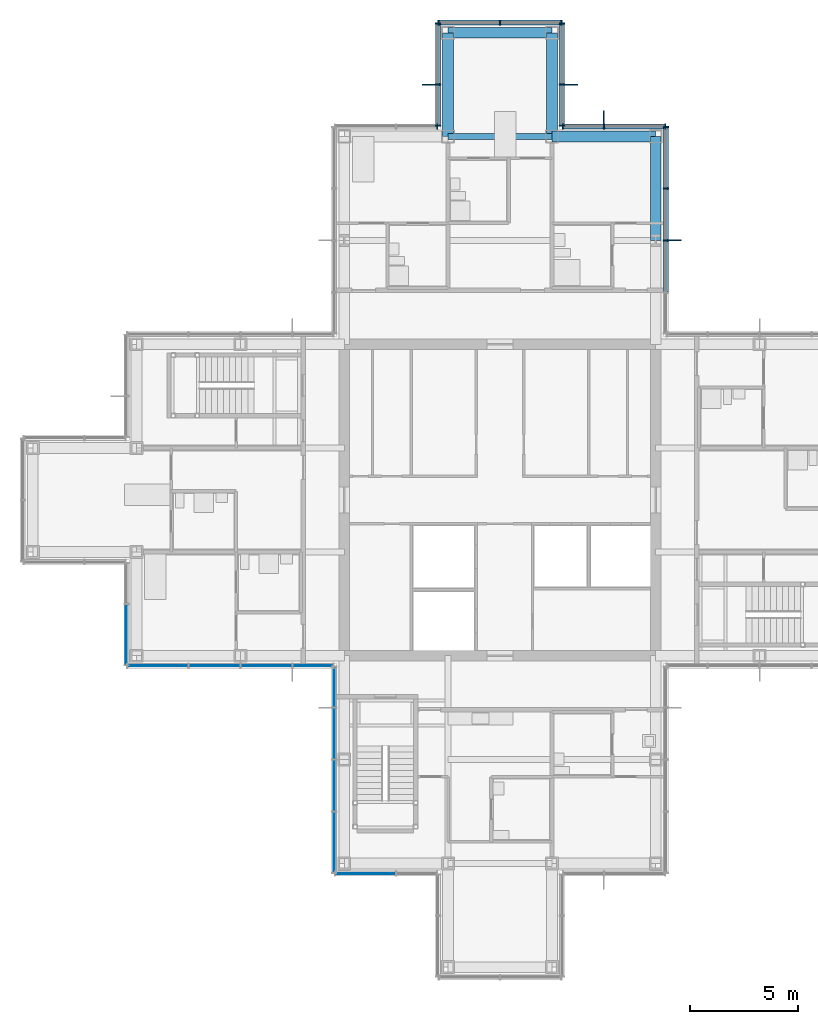
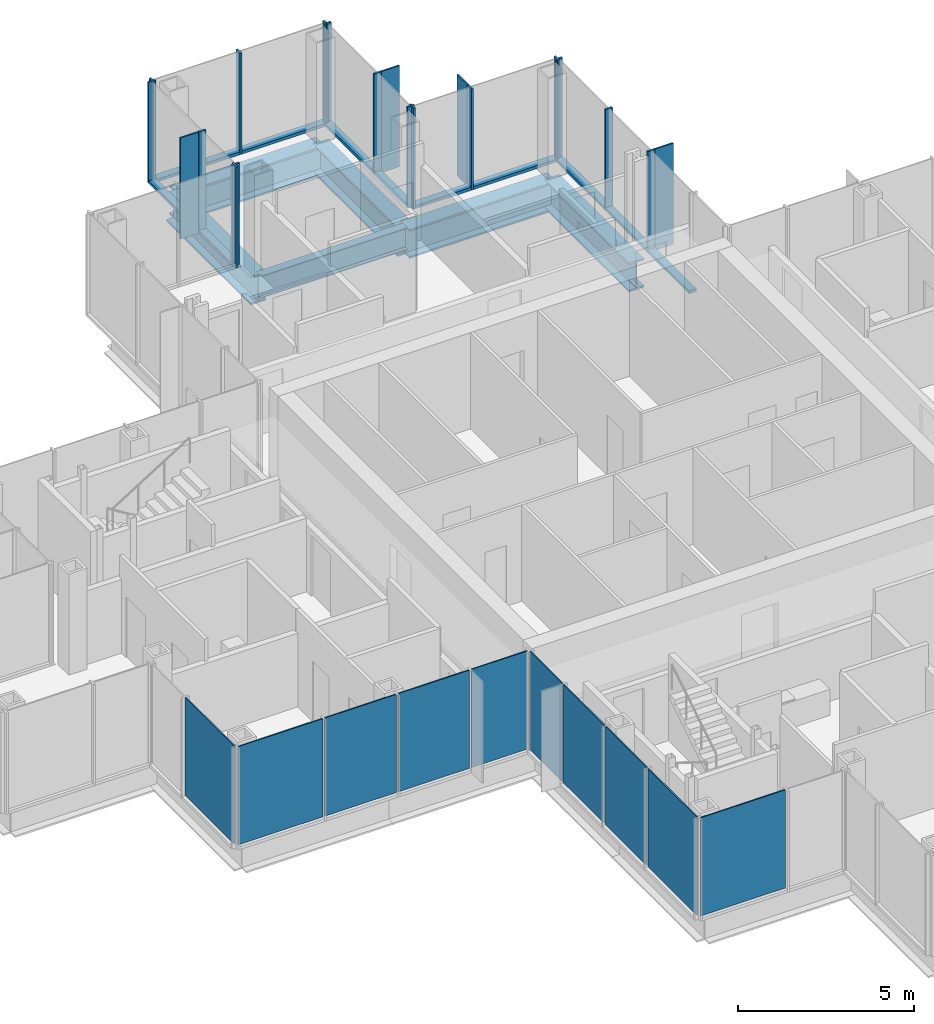
# One storey, part 9 of 17: 31 members, 10 plates, 6 beams, 10 elements without a shape of their own.
"""IFC4 building model written with IfcOpenShell, lengths in metres."""

from ifc_helpers import new_model, si_unit, direction, frame, origin, origin_2d, place, context, subcontext, project, spatial, rectangle, i_section, extrude, material, layer, layer_set, material_profile, profile_set, type_object, element, aggregate, save


model = new_model("IFC4")

# Units and contexts
model_context = context("Model", 3, precision=1e-05, world=origin(), true_north=direction((0.0, 1.0)))
body_context = subcontext(model_context, "Body", "Model", "MODEL_VIEW")
ifc_project = project(units=[si_unit("LENGTHUNIT", "METRE"), si_unit("AREAUNIT", "SQUARE_METRE"), si_unit("VOLUMEUNIT", "CUBIC_METRE"), si_unit("PLANEANGLEUNIT", "RADIAN"), si_unit("MASSUNIT", "GRAM", prefix="KILO")], contexts=[model_context])

# Site, building, storey
site_placement = place(None, origin())
site = spatial("IfcSite", under=ifc_project, at=site_placement, CompositionType="ELEMENT")
building_placement = place(site_placement, origin())
building = spatial("IfcBuilding", under=site, at=building_placement, Name="Kvirike Care Tower", CompositionType="ELEMENT")
storey_placement = place(building_placement, frame((0.0, 0.0, 148.0)))
storey = spatial("IfcBuildingStorey", under=building, at=storey_placement, Name="L40", CompositionType="ELEMENT", Elevation=148.0)

# Curtain wall, member
ifc_material_1 = material(Name="Anodised aluminium stick system", Category="aluminium")
curtain_wall_type = type_object("IfcCurtainWallType", Name="CW-C STICK CURTAIN WALL", PredefinedType="NOTDEFINED", material=ifc_material_1)
curtain_wall_1_placement = place(storey_placement, origin())
curtain_wall_1 = element("IfcCurtainWall", 1, at=curtain_wall_1_placement, inside=storey, type_object=curtain_wall_type, Name="Curtain wall L40 face 8", PredefinedType="NOTDEFINED")
ifc_material_2 = material(Name="Bronze anodised aluminium fin", Category="aluminium")
ifc_material_profile_1 = material_profile(ifc_material_2, rectangle(XDim=0.050048828125, YDim=0.60009765625, at=origin_2d()), Name="BRONZE FIN 600")
ifc_profile_set_1 = profile_set([ifc_material_profile_1], Name="Bronze anodised aluminium fin")
member_type_1 = type_object("IfcMemberType", Name="BRONZE FIN 600", PredefinedType="USERDEFINED", material=ifc_profile_set_1)
member_1_placement = place(storey_placement, frame((29.68994140625, 48.0, 0.0), z_axis=(0.0, 0.0, 1.0), x_axis=(0.0, 1.0, 0.0)))
member_1 = element("IfcMember", 2, at=member_1_placement, type_object=member_type_1, Name="Bronze fin L40 face 8.3", ObjectType="FIN", PredefinedType="USERDEFINED", context=body_context, shape_type="SweptSolid", body=[
    extrude(rectangle(XDim=0.050048828125, YDim=0.60009765625, at=origin_2d()), origin(), (0.0, 0.0, 1.0), 3.5),
])

curtain_wall_2_placement = place(storey_placement, origin())
curtain_wall_2 = element("IfcCurtainWall", 3, at=curtain_wall_2_placement, inside=storey, type_object=curtain_wall_type, Name="Curtain wall L40 face 9", PredefinedType="NOTDEFINED")
member_2_placement = place(storey_placement, frame((26.39990234375, 53.68994140625, 0.0), z_axis=(0.0, 0.0, 1.0), x_axis=(-1.0, 0.0, 0.0)))
member_2 = element("IfcMember", 4, at=member_2_placement, type_object=member_type_1, Name="Bronze fin L40 face 9.2", ObjectType="FIN", PredefinedType="USERDEFINED", context=body_context, shape_type="SweptSolid", body=[
    extrude(rectangle(XDim=0.050048828125, YDim=0.60009765625, at=origin_2d()), origin(), (0.0, 0.0, 1.0), 3.5),
])

curtain_wall_3_placement = place(storey_placement, origin())
curtain_wall_3 = element("IfcCurtainWall", 5, at=curtain_wall_3_placement, inside=storey, type_object=curtain_wall_type, Name="Curtain wall L40 face 10", PredefinedType="NOTDEFINED")
member_3_placement = place(storey_placement, frame((24.889892578125, 55.199951171875, 0.0), z_axis=(0.0, 0.0, 1.0), x_axis=(0.0, 1.0, 0.0)))
member_3 = element("IfcMember", 6, at=member_3_placement, type_object=member_type_1, Name="Bronze fin L40 face 10.2", ObjectType="FIN", PredefinedType="USERDEFINED", context=body_context, shape_type="SweptSolid", body=[
    extrude(rectangle(XDim=0.050048828125, YDim=0.60009765625, at=origin_2d()), origin(), (0.0, 0.0, 1.0), 3.5),
])

curtain_wall_4_placement = place(storey_placement, origin())
curtain_wall_4 = element("IfcCurtainWall", 7, at=curtain_wall_4_placement, inside=storey, type_object=curtain_wall_type, Name="Curtain wall L40 face 12", PredefinedType="NOTDEFINED")
member_4_placement = place(storey_placement, frame((18.31005859375, 55.199951171875, 0.0), z_axis=(0.0, 0.0, 1.0), x_axis=(0.0, -1.0, 0.0)))
member_4 = element("IfcMember", 8, at=member_4_placement, type_object=member_type_1, Name="Bronze fin L40 face 12.2", ObjectType="FIN", PredefinedType="USERDEFINED", context=body_context, shape_type="SweptSolid", body=[
    extrude(rectangle(XDim=0.050048828125, YDim=0.60009765625, at=origin_2d()), origin(), (0.0, 0.0, 1.0), 3.5),
])

# Member
ifc_material_3 = material(Name="Bronze anodised aluminium mullion", Category="aluminium")
ifc_material_profile_2 = material_profile(ifc_material_3, rectangle(XDim=0.06494140625, YDim=0.239990234375, at=origin_2d()), Name="CW-C MULLION 65x240")
ifc_profile_set_2 = profile_set([ifc_material_profile_2], Name="Bronze anodised aluminium mullion")
member_type_2 = type_object("IfcMemberType", Name="CW-C MULLION 65x240", PredefinedType="MULLION", material=ifc_profile_set_2)
member_5_placement = place(storey_placement, frame((29.27001953125, 48.0, 0.0), z_axis=(0.0, 0.0, 1.0), x_axis=(0.0, 1.0, 0.0)))
member_5 = element("IfcMember", 9, at=member_5_placement, type_object=member_type_2, Name="CW-C mullion L40 face 8.3", PredefinedType="MULLION", context=body_context, shape_type="SweptSolid", body=[
    extrude(rectangle(XDim=0.06494140625, YDim=0.239990234375, at=origin_2d()), origin(), (0.0, 0.0, 1.0), 3.5),
])

member_6_placement = place(storey_placement, frame((29.27001953125, 50.39990234375, 0.0), z_axis=(0.0, 0.0, 1.0), x_axis=(0.0, 1.0, 0.0)))
member_6 = element("IfcMember", 10, at=member_6_placement, type_object=member_type_2, Name="CW-C mullion L40 face 8.4", PredefinedType="MULLION", context=body_context, shape_type="SweptSolid", body=[
    extrude(rectangle(XDim=0.06494140625, YDim=0.239990234375, at=origin_2d()), origin(), (0.0, 0.0, 1.0), 3.5),
])

member_7_placement = place(storey_placement, frame((29.27001953125, 53.237548828125, 0.0), z_axis=(0.0, 0.0, 1.0), x_axis=(0.0, 1.0, 0.0)))
member_7 = element("IfcMember", 11, at=member_7_placement, type_object=member_type_2, Name="CW-C mullion L40 face 8.5", PredefinedType="MULLION", context=body_context, shape_type="SweptSolid", body=[
    extrude(rectangle(XDim=0.06494140625, YDim=0.239990234375, at=origin_2d()), origin(), (0.0, 0.0, 1.0), 3.5),
])

member_8_placement = place(storey_placement, frame((29.237548828125, 53.27001953125, 0.0), z_axis=(0.0, 0.0, 1.0), x_axis=(-1.0, 0.0, 0.0)))
member_8 = element("IfcMember", 12, at=member_8_placement, type_object=member_type_2, Name="CW-C mullion L40 face 9.1", PredefinedType="MULLION", context=body_context, shape_type="SweptSolid", body=[
    extrude(rectangle(XDim=0.06494140625, YDim=0.239990234375, at=origin_2d()), origin(), (0.0, 0.0, 1.0), 3.5),
])

member_9_placement = place(storey_placement, frame((26.39990234375, 53.27001953125, 0.0), z_axis=(0.0, 0.0, 1.0), x_axis=(-1.0, 0.0, 0.0)))
member_9 = element("IfcMember", 13, at=member_9_placement, type_object=member_type_2, Name="CW-C mullion L40 face 9.2", PredefinedType="MULLION", context=body_context, shape_type="SweptSolid", body=[
    extrude(rectangle(XDim=0.06494140625, YDim=0.239990234375, at=origin_2d()), origin(), (0.0, 0.0, 1.0), 3.5),
])

member_10_placement = place(storey_placement, frame((24.50244140625, 53.27001953125, 0.0), z_axis=(0.0, 0.0, 1.0), x_axis=(-1.0, 0.0, 0.0)))
member_10 = element("IfcMember", 14, at=member_10_placement, type_object=member_type_2, Name="CW-C mullion L40 face 9.3", PredefinedType="MULLION", context=body_context, shape_type="SweptSolid", body=[
    extrude(rectangle(XDim=0.06494140625, YDim=0.239990234375, at=origin_2d()), origin(), (0.0, 0.0, 1.0), 3.5),
])

member_11_placement = place(storey_placement, frame((24.469970703125, 53.302490234375, 0.0), z_axis=(0.0, 0.0, 1.0), x_axis=(0.0, 1.0, 0.0)))
member_11 = element("IfcMember", 15, at=member_11_placement, type_object=member_type_2, Name="CW-C mullion L40 face 10.1", PredefinedType="MULLION", context=body_context, shape_type="SweptSolid", body=[
    extrude(rectangle(XDim=0.06494140625, YDim=0.239990234375, at=origin_2d()), origin(), (0.0, 0.0, 1.0), 3.5),
])

member_12_placement = place(storey_placement, frame((24.469970703125, 55.199951171875, 0.0), z_axis=(0.0, 0.0, 1.0), x_axis=(0.0, 1.0, 0.0)))
member_12 = element("IfcMember", 16, at=member_12_placement, type_object=member_type_2, Name="CW-C mullion L40 face 10.2", PredefinedType="MULLION", context=body_context, shape_type="SweptSolid", body=[
    extrude(rectangle(XDim=0.06494140625, YDim=0.239990234375, at=origin_2d()), origin(), (0.0, 0.0, 1.0), 3.5),
])

member_13_placement = place(storey_placement, frame((24.469970703125, 58.03759765625, 0.0), z_axis=(0.0, 0.0, 1.0), x_axis=(0.0, 1.0, 0.0)))
member_13 = element("IfcMember", 17, at=member_13_placement, type_object=member_type_2, Name="CW-C mullion L40 face 10.3", PredefinedType="MULLION", context=body_context, shape_type="SweptSolid", body=[
    extrude(rectangle(XDim=0.06494140625, YDim=0.239990234375, at=origin_2d()), origin(), (0.0, 0.0, 1.0), 3.5),
])

# Curtain wall, members
curtain_wall_5_placement = place(storey_placement, origin())
curtain_wall_5 = element("IfcCurtainWall", 18, at=curtain_wall_5_placement, inside=storey, type_object=curtain_wall_type, Name="Curtain wall L40 face 11", PredefinedType="NOTDEFINED")
member_14_placement = place(storey_placement, frame((24.4375, 58.070068359375, 0.0), z_axis=(0.0, 0.0, 1.0), x_axis=(-1.0, 0.0, 0.0)))
member_14 = element("IfcMember", 19, at=member_14_placement, type_object=member_type_2, Name="CW-C mullion L40 face 11.1", PredefinedType="MULLION", context=body_context, shape_type="SweptSolid", body=[
    extrude(rectangle(XDim=0.06494140625, YDim=0.239990234375, at=origin_2d()), origin(), (0.0, 0.0, 1.0), 3.5),
])
member_15_placement = place(storey_placement, frame((21.60009765625, 58.070068359375, 0.0), z_axis=(0.0, 0.0, 1.0), x_axis=(-1.0, 0.0, 0.0)))
member_15 = element("IfcMember", 20, at=member_15_placement, type_object=member_type_2, Name="CW-C mullion L40 face 11.2", PredefinedType="MULLION", context=body_context, shape_type="SweptSolid", body=[
    extrude(rectangle(XDim=0.06494140625, YDim=0.239990234375, at=origin_2d()), origin(), (0.0, 0.0, 1.0), 3.5),
])
member_16_placement = place(storey_placement, frame((18.762451171875, 58.070068359375, 0.0), z_axis=(0.0, 0.0, 1.0), x_axis=(-1.0, 0.0, 0.0)))
member_16 = element("IfcMember", 21, at=member_16_placement, type_object=member_type_2, Name="CW-C mullion L40 face 11.3", PredefinedType="MULLION", context=body_context, shape_type="SweptSolid", body=[
    extrude(rectangle(XDim=0.06494140625, YDim=0.239990234375, at=origin_2d()), origin(), (0.0, 0.0, 1.0), 3.5),
])

# Member
member_17_placement = place(storey_placement, frame((18.72998046875, 58.03759765625, 0.0), z_axis=(0.0, 0.0, 1.0), x_axis=(0.0, -1.0, 0.0)))
member_17 = element("IfcMember", 22, at=member_17_placement, type_object=member_type_2, Name="CW-C mullion L40 face 12.1", PredefinedType="MULLION", context=body_context, shape_type="SweptSolid", body=[
    extrude(rectangle(XDim=0.06494140625, YDim=0.239990234375, at=origin_2d()), origin(), (0.0, 0.0, 1.0), 3.5),
])

member_18_placement = place(storey_placement, frame((18.72998046875, 55.199951171875, 0.0), z_axis=(0.0, 0.0, 1.0), x_axis=(0.0, -1.0, 0.0)))
member_18 = element("IfcMember", 23, at=member_18_placement, type_object=member_type_2, Name="CW-C mullion L40 face 12.2", PredefinedType="MULLION", context=body_context, shape_type="SweptSolid", body=[
    extrude(rectangle(XDim=0.06494140625, YDim=0.239990234375, at=origin_2d()), origin(), (0.0, 0.0, 1.0), 3.5),
])

member_19_placement = place(storey_placement, frame((18.72998046875, 53.302490234375, 0.0), z_axis=(0.0, 0.0, 1.0), x_axis=(0.0, -1.0, 0.0)))
member_19 = element("IfcMember", 24, at=member_19_placement, type_object=member_type_2, Name="CW-C mullion L40 face 12.3", PredefinedType="MULLION", context=body_context, shape_type="SweptSolid", body=[
    extrude(rectangle(XDim=0.06494140625, YDim=0.239990234375, at=origin_2d()), origin(), (0.0, 0.0, 1.0), 3.5),
])

# Curtain wall, member
curtain_wall_6_placement = place(storey_placement, origin())
curtain_wall_6 = element("IfcCurtainWall", 25, at=curtain_wall_6_placement, inside=storey, type_object=curtain_wall_type, Name="Curtain wall L40 face 13", PredefinedType="NOTDEFINED")
member_20_placement = place(storey_placement, frame((18.697509765625, 53.27001953125, 0.0), z_axis=(0.0, 0.0, 1.0), x_axis=(-1.0, 0.0, 0.0)))
member_20 = element("IfcMember", 26, at=member_20_placement, type_object=member_type_2, Name="CW-C mullion L40 face 13.1", PredefinedType="MULLION", context=body_context, shape_type="SweptSolid", body=[
    extrude(rectangle(XDim=0.06494140625, YDim=0.239990234375, at=origin_2d()), origin(), (0.0, 0.0, 1.0), 3.5),
])
aggregate(curtain_wall_6, [member_20])

# Member
ifc_material_4 = material(Name="Bronze anodised aluminium transom", Category="aluminium")
ifc_material_profile_3 = material_profile(ifc_material_4, rectangle(XDim=0.239990234375, YDim=0.10009765625, at=origin_2d()), Name="CW-C TRANSOM 240x100")
ifc_profile_set_3 = profile_set([ifc_material_profile_3], Name="Bronze anodised aluminium transom")
member_type_3 = type_object("IfcMemberType", Name="CW-C TRANSOM 240x100", PredefinedType="USERDEFINED", material=ifc_profile_set_3)
member_21_placement = place(storey_placement, frame((29.27001953125, 45.632568359375, 0.050048828125), z_axis=(0.0, 1.0, 0.0), x_axis=(-1.0, 0.0, 0.0)))
member_21 = element("IfcMember", 27, at=member_21_placement, type_object=member_type_3, Name="CW-C sill transom L40 face 8.2", ObjectType="TRANSOM", PredefinedType="USERDEFINED", context=body_context, shape_type="SweptSolid", body=[
    extrude(rectangle(XDim=0.239990234375, YDim=0.10009765625, at=origin_2d()), origin(), (0.0, 0.0, 1.0), 2.3349609375),
])

member_22_placement = place(storey_placement, frame((29.27001953125, 48.032470703125, 0.050048828125), z_axis=(0.0, 1.0, 0.0), x_axis=(-1.0, 0.0, 0.0)))
member_22 = element("IfcMember", 28, at=member_22_placement, type_object=member_type_3, Name="CW-C sill transom L40 face 8.3", ObjectType="TRANSOM", PredefinedType="USERDEFINED", context=body_context, shape_type="SweptSolid", body=[
    extrude(rectangle(XDim=0.239990234375, YDim=0.10009765625, at=origin_2d()), origin(), (0.0, 0.0, 1.0), 2.3349609375),
])

member_23_placement = place(storey_placement, frame((29.27001953125, 50.4326171875, 0.050048828125), z_axis=(0.0, 1.0, 0.0), x_axis=(-1.0, 0.0, 0.0)))
member_23 = element("IfcMember", 29, at=member_23_placement, type_object=member_type_3, Name="CW-C sill transom L40 face 8.4", ObjectType="TRANSOM", PredefinedType="USERDEFINED", context=body_context, shape_type="SweptSolid", body=[
    extrude(rectangle(XDim=0.239990234375, YDim=0.10009765625, at=origin_2d()), origin(), (0.0, 0.0, 1.0), 2.7724609375),
])

aggregate(curtain_wall_1, [member_5, member_1, member_6, member_7, member_21, member_22, member_23])

member_24_placement = place(storey_placement, frame((29.205078125, 53.27001953125, 0.050048828125), z_axis=(-1.0, 0.0, 0.0), x_axis=(0.0, -1.0, 0.0)))
member_24 = element("IfcMember", 30, at=member_24_placement, type_object=member_type_3, Name="CW-C sill transom L40 face 9.1", ObjectType="TRANSOM", PredefinedType="USERDEFINED", context=body_context, shape_type="SweptSolid", body=[
    extrude(rectangle(XDim=0.239990234375, YDim=0.10009765625, at=origin_2d()), origin(), (0.0, 0.0, 1.0), 2.7724609375),
])

member_25_placement = place(storey_placement, frame((26.367431640625, 53.27001953125, 0.050048828125), z_axis=(-1.0, 0.0, 0.0), x_axis=(0.0, -1.0, 0.0)))
member_25 = element("IfcMember", 31, at=member_25_placement, type_object=member_type_3, Name="CW-C sill transom L40 face 9.2", ObjectType="TRANSOM", PredefinedType="USERDEFINED", context=body_context, shape_type="SweptSolid", body=[
    extrude(rectangle(XDim=0.239990234375, YDim=0.10009765625, at=origin_2d()), origin(), (0.0, 0.0, 1.0), 1.83251953125),
])

aggregate(curtain_wall_2, [member_8, member_9, member_2, member_10, member_24, member_25])

member_26_placement = place(storey_placement, frame((24.469970703125, 53.3349609375, 0.050048828125), z_axis=(0.0, 1.0, 0.0), x_axis=(-1.0, 0.0, 0.0)))
member_26 = element("IfcMember", 32, at=member_26_placement, type_object=member_type_3, Name="CW-C sill transom L40 face 10.1", ObjectType="TRANSOM", PredefinedType="USERDEFINED", context=body_context, shape_type="SweptSolid", body=[
    extrude(rectangle(XDim=0.239990234375, YDim=0.10009765625, at=origin_2d()), origin(), (0.0, 0.0, 1.0), 1.83251953125),
])

member_27_placement = place(storey_placement, frame((24.469970703125, 55.232421875, 0.050048828125), z_axis=(0.0, 1.0, 0.0), x_axis=(-1.0, 0.0, 0.0)))
member_27 = element("IfcMember", 33, at=member_27_placement, type_object=member_type_3, Name="CW-C sill transom L40 face 10.2", ObjectType="TRANSOM", PredefinedType="USERDEFINED", context=body_context, shape_type="SweptSolid", body=[
    extrude(rectangle(XDim=0.239990234375, YDim=0.10009765625, at=origin_2d()), origin(), (0.0, 0.0, 1.0), 2.7724609375),
])

aggregate(curtain_wall_3, [member_11, member_12, member_3, member_13, member_26, member_27])

member_28_placement = place(storey_placement, frame((24.405029296875, 58.070068359375, 0.050048828125), z_axis=(-1.0, 0.0, 0.0), x_axis=(0.0, -1.0, 0.0)))
member_28 = element("IfcMember", 34, at=member_28_placement, type_object=member_type_3, Name="CW-C sill transom L40 face 11.1", ObjectType="TRANSOM", PredefinedType="USERDEFINED", context=body_context, shape_type="SweptSolid", body=[
    extrude(rectangle(XDim=0.239990234375, YDim=0.10009765625, at=origin_2d()), origin(), (0.0, 0.0, 1.0), 2.7724609375),
])

member_29_placement = place(storey_placement, frame((21.5673828125, 58.070068359375, 0.050048828125), z_axis=(-1.0, 0.0, 0.0), x_axis=(0.0, -1.0, 0.0)))
member_29 = element("IfcMember", 35, at=member_29_placement, type_object=member_type_3, Name="CW-C sill transom L40 face 11.2", ObjectType="TRANSOM", PredefinedType="USERDEFINED", context=body_context, shape_type="SweptSolid", body=[
    extrude(rectangle(XDim=0.239990234375, YDim=0.10009765625, at=origin_2d()), origin(), (0.0, 0.0, 1.0), 2.7724609375),
])

aggregate(curtain_wall_5, [member_14, member_15, member_16, member_28, member_29])

member_30_placement = place(storey_placement, frame((18.72998046875, 58.0048828125, 0.050048828125), z_axis=(0.0, -1.0, 0.0), x_axis=(1.0, 0.0, 0.0)))
member_30 = element("IfcMember", 36, at=member_30_placement, type_object=member_type_3, Name="CW-C sill transom L40 face 12.1", ObjectType="TRANSOM", PredefinedType="USERDEFINED", context=body_context, shape_type="SweptSolid", body=[
    extrude(rectangle(XDim=0.239990234375, YDim=0.10009765625, at=origin_2d()), origin(), (0.0, 0.0, 1.0), 2.7724609375),
])

member_31_placement = place(storey_placement, frame((18.72998046875, 55.16748046875, 0.050048828125), z_axis=(0.0, -1.0, 0.0), x_axis=(1.0, 0.0, 0.0)))
member_31 = element("IfcMember", 37, at=member_31_placement, type_object=member_type_3, Name="CW-C sill transom L40 face 12.2", ObjectType="TRANSOM", PredefinedType="USERDEFINED", context=body_context, shape_type="SweptSolid", body=[
    extrude(rectangle(XDim=0.239990234375, YDim=0.10009765625, at=origin_2d()), origin(), (0.0, 0.0, 1.0), 1.83251953125),
])

aggregate(curtain_wall_4, [member_17, member_18, member_4, member_19, member_30, member_31])

# Beams
ifc_material_5 = material(Name="Steel S355", Category="steel")
ifc_material_profile_4 = material_profile(ifc_material_5, i_section(OverallWidth=0.26806640625, OverallDepth=0.77001953125, WebThickness=0.015625, FlangeThickness=0.025390625, FilletRadius=0.01708984375, at=origin_2d()), Name="IPE 750x196")
ifc_profile_set_4 = profile_set([ifc_material_profile_4], Name="Steel S355")
beam_type_1 = type_object("IfcBeamType", Name="FLOOR BEAM IPE 750x196", PredefinedType="BEAM", material=ifc_profile_set_4)
beam_placement = place(storey_placement, frame((19.199951171875, 52.800048828125, -0.554931640625), z_axis=(1.0, 0.0, 0.0), x_axis=(0.0, 1.0, 0.0)))
element("IfcBeam", 38, at=beam_placement, inside=storey, type_object=beam_type_1, Name="Floor Beam M7-M8 L40", PredefinedType="BEAM", context=body_context, shape_type="SweptSolid", body=[
    extrude(i_section(OverallWidth=0.26806640625, OverallDepth=0.77001953125, WebThickness=0.015625, FlangeThickness=0.025390625, FilletRadius=0.01708984375, at=origin_2d()), origin(), (0.0, 0.0, 1.0), 4.800048828125),
])
ifc_material_6 = material(Name="Steel S355", Category="steel")
ifc_material_profile_5 = material_profile(ifc_material_6, i_section(OverallWidth=0.5, OverallDepth=1.0, WebThickness=0.030029296875, FlangeThickness=0.06005859375, at=origin_2d()), Name="PG 1000x500x30x60")
ifc_profile_set_5 = profile_set([ifc_material_profile_5], Name="Steel S355")
beam_type_2 = type_object("IfcBeamType", Name="SPANDREL PG 1000x500x30x60", PredefinedType="SPANDREL", material=ifc_profile_set_5)
for number, where, z_axis, x_axis, name in (
    (39, (24.0, 52.800048828125, -0.669921875), (1.0, 0.0, 0.0), (0.0, 1.0, 0.0), "Spandrel M8-M9 L40"),
    (40, (19.199951171875, 57.60009765625, -0.669921875), (1.0, 0.0, 0.0), (0.0, 1.0, 0.0), "Spandrel N7-N8 L40"),
    (41, (19.199951171875, 52.800048828125, -0.669921875), (0.0, 1.0, 0.0), (-1.0, 0.0, 0.0), "Spandrel M7-N7 L40"),
    (42, (24.0, 52.800048828125, -0.669921875), (0.0, 1.0, 0.0), (-1.0, 0.0, 0.0), "Spandrel M8-N8 L40"),
    (43, (28.800048828125, 48.0, -0.669921875), (0.0, 1.0, 0.0), (-1.0, 0.0, 0.0), "Spandrel L9-M9 L40"),
):
    element("IfcBeam", number, at=place(storey_placement, frame(where, z_axis=z_axis, x_axis=x_axis)), inside=storey, type_object=beam_type_2, Name=name, PredefinedType="SPANDREL", context=body_context, shape_type="SweptSolid", body=[
        extrude(i_section(OverallWidth=0.5, OverallDepth=1.0, WebThickness=0.030029296875, FlangeThickness=0.06005859375, at=origin_2d()), origin(), (0.0, 0.0, 1.0), 4.800048828125),
    ])

# Curtain wall, plate
curtain_wall_7_placement = place(storey_placement, origin())
curtain_wall_7 = element("IfcCurtainWall", 44, at=curtain_wall_7_placement, inside=storey, type_object=curtain_wall_type, Name="Curtain wall L40 face 20", PredefinedType="NOTDEFINED")
ifc_material_7 = material(Name="Tinted double glazed unit", Category="glass")
ifc_layer = layer(ifc_material_7, 0.0400390625)
ifc_layer_set = layer_set([ifc_layer], Name="TINTED VISION PANEL 40")
plate_type = type_object("IfcPlateType", Name="TINTED VISION PANEL 40", PredefinedType="CURTAIN_PANEL", material=ifc_layer_set)
plate_1_placement = place(storey_placement, frame((4.330078125, 29.78125, 0.10009765625), z_axis=(0.0, 0.0, 1.0), x_axis=(0.0, -1.0, 0.0)))
plate_1 = element("IfcPlate", 45, at=plate_1_placement, type_object=plate_type, Name="CW-C panel L40 face 20.2", PredefinedType="CURTAIN_PANEL", context=body_context, shape_type="SweptSolid", body=[
    extrude(rectangle(XDim=2.7724609375, YDim=0.0400390625, at=origin_2d()), origin(), (0.0, 0.0, 1.0), 3.39990234375),
])
aggregate(curtain_wall_7, [plate_1])

# Curtain wall, plates
curtain_wall_8_placement = place(storey_placement, origin())
curtain_wall_8 = element("IfcCurtainWall", 46, at=curtain_wall_8_placement, inside=storey, type_object=curtain_wall_type, Name="Curtain wall L40 face 21", PredefinedType="NOTDEFINED")
plate_2_placement = place(storey_placement, frame((5.78125, 28.330078125, 0.10009765625), z_axis=(0.0, 0.0, 1.0), x_axis=(1.0, 0.0, 0.0)))
plate_2 = element("IfcPlate", 47, at=plate_2_placement, type_object=plate_type, Name="CW-C panel L40 face 21.1", PredefinedType="CURTAIN_PANEL", context=body_context, shape_type="SweptSolid", body=[
    extrude(rectangle(XDim=2.7724609375, YDim=0.0400390625, at=origin_2d()), origin(), (0.0, 0.0, 1.0), 3.39990234375),
])
plate_3_placement = place(storey_placement, frame((8.39990234375, 28.330078125, 0.10009765625), z_axis=(0.0, 0.0, 1.0), x_axis=(1.0, 0.0, 0.0)))
plate_3 = element("IfcPlate", 48, at=plate_3_placement, type_object=plate_type, Name="CW-C panel L40 face 21.2", PredefinedType="CURTAIN_PANEL", context=body_context, shape_type="SweptSolid", body=[
    extrude(rectangle(XDim=2.3349609375, YDim=0.0400390625, at=origin_2d()), origin(), (0.0, 0.0, 1.0), 3.39990234375),
])
plate_4_placement = place(storey_placement, frame((10.800048828125, 28.330078125, 0.10009765625), z_axis=(0.0, 0.0, 1.0), x_axis=(1.0, 0.0, 0.0)))
plate_4 = element("IfcPlate", 49, at=plate_4_placement, type_object=plate_type, Name="CW-C panel L40 face 21.3", PredefinedType="CURTAIN_PANEL", context=body_context, shape_type="SweptSolid", body=[
    extrude(rectangle(XDim=2.3349609375, YDim=0.0400390625, at=origin_2d()), origin(), (0.0, 0.0, 1.0), 3.39990234375),
])
plate_5_placement = place(storey_placement, frame((12.94873046875, 28.330078125, 0.10009765625), z_axis=(0.0, 0.0, 1.0), x_axis=(1.0, 0.0, 0.0)))
plate_5 = element("IfcPlate", 50, at=plate_5_placement, type_object=plate_type, Name="CW-C panel L40 face 21.4", PredefinedType="CURTAIN_PANEL", context=body_context, shape_type="SweptSolid", body=[
    extrude(rectangle(XDim=1.83251953125, YDim=0.0400390625, at=origin_2d()), origin(), (0.0, 0.0, 1.0), 3.39990234375),
])
aggregate(curtain_wall_8, [plate_2, plate_3, plate_4, plate_5])

curtain_wall_9_placement = place(storey_placement, origin())
curtain_wall_9 = element("IfcCurtainWall", 51, at=curtain_wall_9_placement, inside=storey, type_object=curtain_wall_type, Name="Curtain wall L40 face 22", PredefinedType="NOTDEFINED")
plate_6_placement = place(storey_placement, frame((13.929931640625, 27.3486328125, 0.10009765625), z_axis=(0.0, 0.0, 1.0), x_axis=(0.0, -1.0, 0.0)))
plate_6 = element("IfcPlate", 52, at=plate_6_placement, type_object=plate_type, Name="CW-C panel L40 face 22.1", PredefinedType="CURTAIN_PANEL", context=body_context, shape_type="SweptSolid", body=[
    extrude(rectangle(XDim=1.83251953125, YDim=0.0400390625, at=origin_2d()), origin(), (0.0, 0.0, 1.0), 3.39990234375),
])
plate_7_placement = place(storey_placement, frame((13.929931640625, 25.199951171875, 0.10009765625), z_axis=(0.0, 0.0, 1.0), x_axis=(0.0, -1.0, 0.0)))
plate_7 = element("IfcPlate", 53, at=plate_7_placement, type_object=plate_type, Name="CW-C panel L40 face 22.2", PredefinedType="CURTAIN_PANEL", context=body_context, shape_type="SweptSolid", body=[
    extrude(rectangle(XDim=2.3349609375, YDim=0.0400390625, at=origin_2d()), origin(), (0.0, 0.0, 1.0), 3.39990234375),
])
plate_8_placement = place(storey_placement, frame((13.929931640625, 22.800048828125, 0.10009765625), z_axis=(0.0, 0.0, 1.0), x_axis=(0.0, -1.0, 0.0)))
plate_8 = element("IfcPlate", 54, at=plate_8_placement, type_object=plate_type, Name="CW-C panel L40 face 22.3", PredefinedType="CURTAIN_PANEL", context=body_context, shape_type="SweptSolid", body=[
    extrude(rectangle(XDim=2.3349609375, YDim=0.0400390625, at=origin_2d()), origin(), (0.0, 0.0, 1.0), 3.39990234375),
])
plate_9_placement = place(storey_placement, frame((13.929931640625, 20.18115234375, 0.10009765625), z_axis=(0.0, 0.0, 1.0), x_axis=(0.0, -1.0, 0.0)))
plate_9 = element("IfcPlate", 55, at=plate_9_placement, type_object=plate_type, Name="CW-C panel L40 face 22.4", PredefinedType="CURTAIN_PANEL", context=body_context, shape_type="SweptSolid", body=[
    extrude(rectangle(XDim=2.7724609375, YDim=0.0400390625, at=origin_2d()), origin(), (0.0, 0.0, 1.0), 3.39990234375),
])
aggregate(curtain_wall_9, [plate_6, plate_7, plate_8, plate_9])

# Curtain wall, plate
curtain_wall_10_placement = place(storey_placement, origin())
curtain_wall_10 = element("IfcCurtainWall", 56, at=curtain_wall_10_placement, inside=storey, type_object=curtain_wall_type, Name="Curtain wall L40 face 23", PredefinedType="NOTDEFINED")
plate_10_placement = place(storey_placement, frame((15.38134765625, 18.72998046875, 0.10009765625), z_axis=(0.0, 0.0, 1.0), x_axis=(1.0, 0.0, 0.0)))
plate_10 = element("IfcPlate", 57, at=plate_10_placement, type_object=plate_type, Name="CW-C panel L40 face 23.1", PredefinedType="CURTAIN_PANEL", context=body_context, shape_type="SweptSolid", body=[
    extrude(rectangle(XDim=2.7724609375, YDim=0.0400390625, at=origin_2d()), origin(), (0.0, 0.0, 1.0), 3.39990234375),
])
aggregate(curtain_wall_10, [plate_10])

save(model, "model.ifc")
